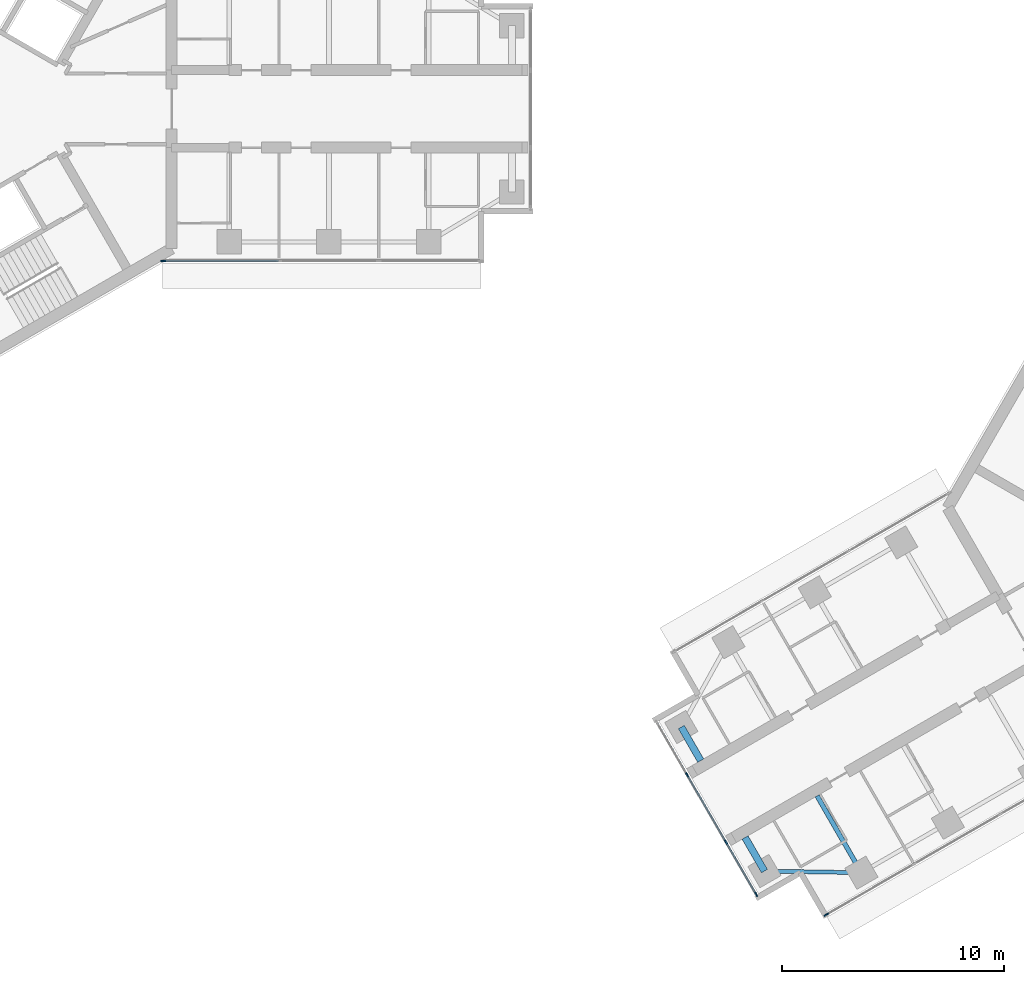
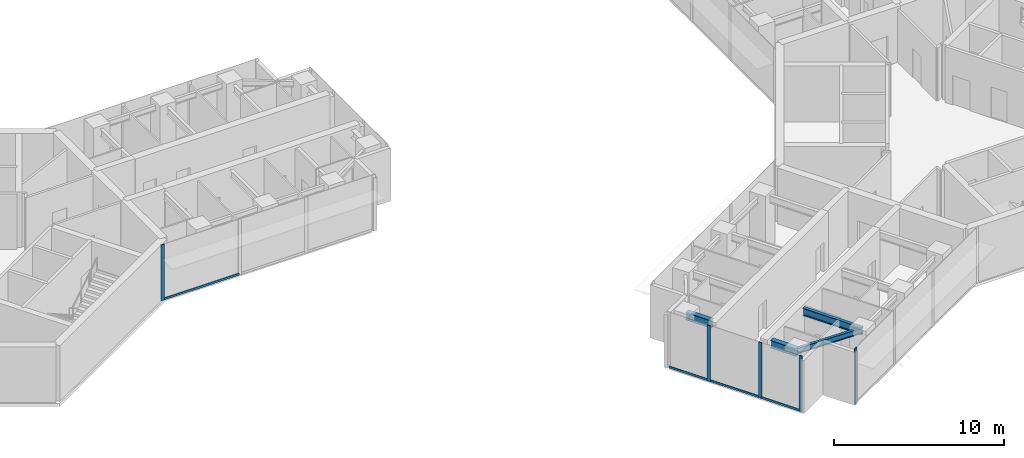
# One storey, part 2 of 18: 9 members, 4 beams, 3 elements without a shape of their own.
"""IFC4 building model written with IfcOpenShell, lengths in metres."""

from ifc_helpers import new_model, si_unit, direction, frame, origin, origin_2d, place, context, subcontext, project, spatial, rectangle, i_section, extrude, material, material_profile, profile_set, type_object, element, aggregate, save


model = new_model("IFC4")

# Units and contexts
model_context = context("Model", 3, precision=1e-05, world=origin(), true_north=direction((0.0, 1.0)))
body_context = subcontext(model_context, "Body", "Model", "MODEL_VIEW")
ifc_project = project(units=[si_unit("LENGTHUNIT", "METRE"), si_unit("AREAUNIT", "SQUARE_METRE"), si_unit("VOLUMEUNIT", "CUBIC_METRE"), si_unit("PLANEANGLEUNIT", "RADIAN"), si_unit("MASSUNIT", "GRAM", prefix="KILO")], contexts=[model_context])

# Site, building, storey
site_placement = place(None, origin())
site = spatial("IfcSite", under=ifc_project, at=site_placement, CompositionType="ELEMENT")
building_placement = place(site_placement, origin())
building = spatial("IfcBuilding", under=site, at=building_placement, Name="Upepo Twin Towers", CompositionType="ELEMENT")
storey_placement = place(building_placement, frame((0.0, 0.0, 218.5)))
storey = spatial("IfcBuildingStorey", under=building, at=storey_placement, Name="L53", CompositionType="ELEMENT", Elevation=218.5)

# Beams
ifc_material_1 = material(Name="Steel S355", Category="steel")
ifc_material_profile_1 = material_profile(ifc_material_1, i_section(OverallWidth=0.177978515625, OverallDepth=0.406494140625, WebThickness=0.0078125, FlangeThickness=0.0126953125, FilletRadius=0.01025390625, at=origin_2d()), Name="UB 406x178x60")
ifc_profile_set_1 = profile_set([ifc_material_profile_1], Name="Steel S355")
beam_type_1 = type_object("IfcBeamType", Name="Beam UB 406x178x60", PredefinedType="BEAM", material=ifc_profile_set_1)
beam_1_placement = place(storey_placement, frame((42.014404296875, -34.446044921875, 3.5966796875), z_axis=(-0.999858804832, 0.016803880528, 0.0), x_axis=(-0.016803880528, -0.999858804832, 0.0)))
element("IfcBeam", 1, at=beam_1_placement, inside=storey, type_object=beam_type_1, Name="T2 nose edge beam BL", PredefinedType="BEAM", context=body_context, shape_type="SweptSolid", body=[
    extrude(i_section(OverallWidth=0.177978515625, OverallDepth=0.406494140625, WebThickness=0.0078125, FlangeThickness=0.0126953125, FilletRadius=0.01025390625, at=origin_2d()), origin(), (0.0, 0.0, 1.0), 4.373291015625),
])
ifc_material_2 = material(Name="Steel S355", Category="steel")
ifc_material_profile_2 = material_profile(ifc_material_2, i_section(OverallWidth=0.209228515625, OverallDepth=0.533203125, WebThickness=0.010009765625, FlangeThickness=0.015625, FilletRadius=0.0126953125, at=origin_2d()), Name="UB 533x210x92")
ifc_profile_set_2 = profile_set([ifc_material_profile_2], Name="Steel S355")
beam_type_2 = type_object("IfcBeamType", Name="Beam UB 533x210x92", PredefinedType="BEAM", material=ifc_profile_set_2)
beam_2_placement = place(storey_placement, frame((42.014404296875, -34.446044921875, 3.533447265625), z_axis=(-0.49999894854, 0.866026010844, 0.0), x_axis=(-0.866026010844, -0.49999894854, 0.0)))
element("IfcBeam", 2, at=beam_2_placement, inside=storey, type_object=beam_type_2, Name="T2 girder BL at 22.5", PredefinedType="BEAM", context=body_context, shape_type="SweptSolid", body=[
    extrude(i_section(OverallWidth=0.209228515625, OverallDepth=0.533203125, WebThickness=0.010009765625, FlangeThickness=0.015625, FilletRadius=0.0126953125, at=origin_2d()), origin(), (0.0, 0.0, 1.0), 4.0),
])
ifc_material_3 = material(Name="Steel S355", Category="steel")
ifc_material_profile_3 = material_profile(ifc_material_3, i_section(OverallWidth=0.31201171875, OverallDepth=0.54345703125, WebThickness=0.0126953125, FlangeThickness=0.020263671875, FilletRadius=0.0126953125, at=origin_2d()), Name="UB 533x312x150")
ifc_profile_set_3 = profile_set([ifc_material_profile_3], Name="Steel S355")
beam_type_3 = type_object("IfcBeamType", Name="Beam UB 533x312x150", PredefinedType="BEAM", material=ifc_profile_set_3)
for number, where, z_axis, x_axis, name in (
    (3, (37.641845703125, -34.37255859375, 3.5283203125), (-0.499980071345, 0.866036909293, 0.0), (-0.866036909293, -0.499980071345, 0.0), "T2 nose beam BL"),
    (4, (33.891845703125, -27.87744140625, 3.5283203125), (0.499980071345, -0.866036909293, 0.0), (0.866036909293, 0.499980071345, 0.0), "T2 nose beam BR"),
):
    element("IfcBeam", number, at=place(storey_placement, frame(where, z_axis=z_axis, x_axis=x_axis)), inside=storey, type_object=beam_type_3, Name=name, PredefinedType="BEAM", context=body_context, shape_type="SweptSolid", body=[
        extrude(i_section(OverallWidth=0.31201171875, OverallDepth=0.54345703125, WebThickness=0.0126953125, FlangeThickness=0.020263671875, FilletRadius=0.0126953125, at=origin_2d()), origin(), (0.0, 0.0, 1.0), 1.75),
    ])

# Curtain wall, member
ifc_material_4 = material(Name="Aluminium and fritted glass", Category="aluminium")
curtain_wall_type = type_object("IfcCurtainWallType", Name="Tower curtain wall TW3, fritted glass", PredefinedType="NOTDEFINED", material=ifc_material_4)
curtain_wall_1_placement = place(storey_placement, origin())
curtain_wall_1 = element("IfcCurtainWall", 5, at=curtain_wall_1_placement, inside=storey, type_object=curtain_wall_type, Name="T1 L53 wing A flank R curtain wall", PredefinedType="NOTDEFINED")
ifc_material_5 = material(Name="Aluminium mullion", Category="aluminium")
ifc_material_profile_4 = material_profile(ifc_material_5, rectangle(XDim=0.06494140625, YDim=0.22509765625, at=origin_2d()), Name="MULLION 65x225")
ifc_profile_set_4 = profile_set([ifc_material_profile_4], Name="Aluminium mullion")
member_type_1 = type_object("IfcMemberType", Name="Mullion 65x225 TW3", PredefinedType="MULLION", material=ifc_profile_set_4)
member_1_placement = place(storey_placement, frame((10.51953125, -6.85009765625, 0.0), z_axis=(0.0, 0.0, 1.0), x_axis=(0.0, -1.0, 0.0)))
member_1 = element("IfcMember", 6, at=member_1_placement, type_object=member_type_1, Name="T1 L53 wing A flank R curtain wall mullion 4", PredefinedType="MULLION", context=body_context, shape_type="SweptSolid", body=[
    extrude(rectangle(XDim=0.06494140625, YDim=0.22509765625, at=origin_2d()), origin(), (0.0, 0.0, 1.0), 4.0),
])

curtain_wall_2_placement = place(storey_placement, origin())
curtain_wall_2 = element("IfcCurtainWall", 7, at=curtain_wall_2_placement, inside=storey, type_object=curtain_wall_type, Name="T2 L53 wing B flank L curtain wall", PredefinedType="NOTDEFINED")
member_2_placement = place(storey_placement, frame((40.432373046875, -36.341064453125, 0.0), z_axis=(0.0, 0.0, 1.0), x_axis=(0.500000026527, -0.866025388469, 0.0)))
member_2 = element("IfcMember", 8, at=member_2_placement, type_object=member_type_1, Name="T2 L53 wing B flank L curtain wall mullion 4", PredefinedType="MULLION", context=body_context, shape_type="SweptSolid", body=[
    extrude(rectangle(XDim=0.06494140625, YDim=0.22509765625, at=origin_2d()), origin(), (0.0, 0.0, 1.0), 4.0),
])
aggregate(curtain_wall_2, [member_2])

# Curtain wall, members
curtain_wall_3_placement = place(storey_placement, origin())
curtain_wall_3 = element("IfcCurtainWall", 9, at=curtain_wall_3_placement, inside=storey, type_object=curtain_wall_type, Name="T2 L53 wing B nose curtain wall", PredefinedType="NOTDEFINED")
member_3_placement = place(storey_placement, frame((34.15576171875, -30.034423828125, 0.0), z_axis=(0.0, 0.0, 1.0), x_axis=(0.866025386174, 0.500000030502, 0.0)))
member_3 = element("IfcMember", 10, at=member_3_placement, type_object=member_type_1, Name="T2 L53 wing B nose curtain wall mullion 2", PredefinedType="MULLION", context=body_context, shape_type="SweptSolid", body=[
    extrude(rectangle(XDim=0.06494140625, YDim=0.22509765625, at=origin_2d()), origin(), (0.0, 0.0, 1.0), 4.0),
])
member_4_placement = place(storey_placement, frame((35.90576171875, -33.0654296875, 0.0), z_axis=(0.0, 0.0, 1.0), x_axis=(0.866025386174, 0.500000030502, 0.0)))
member_4 = element("IfcMember", 11, at=member_4_placement, type_object=member_type_1, Name="T2 L53 wing B nose curtain wall mullion 3", PredefinedType="MULLION", context=body_context, shape_type="SweptSolid", body=[
    extrude(rectangle(XDim=0.06494140625, YDim=0.22509765625, at=origin_2d()), origin(), (0.0, 0.0, 1.0), 4.0),
])
member_5_placement = place(storey_placement, frame((37.264404296875, -35.4189453125, 0.0), z_axis=(0.0, 0.0, 1.0), x_axis=(0.866025386174, 0.500000030502, 0.0)))
member_5 = element("IfcMember", 12, at=member_5_placement, type_object=member_type_1, Name="T2 L53 wing B nose curtain wall mullion 4", PredefinedType="MULLION", context=body_context, shape_type="SweptSolid", body=[
    extrude(rectangle(XDim=0.06494140625, YDim=0.22509765625, at=origin_2d()), origin(), (0.0, 0.0, 1.0), 4.0),
])

# Member
ifc_material_6 = material(Name="Aluminium transom", Category="aluminium")
ifc_material_profile_5 = material_profile(ifc_material_6, rectangle(XDim=0.06494140625, YDim=0.14990234375, at=origin_2d()), Name="TRANSOM 65x150")
ifc_profile_set_5 = profile_set([ifc_material_profile_5], Name="Aluminium transom")
member_type_2 = type_object("IfcMemberType", Name="Transom 65x150 TW3", PredefinedType="USERDEFINED", material=ifc_profile_set_5)
member_6_placement = place(storey_placement, frame((15.717529296875, -6.85009765625, 0.074951171875), z_axis=(-1.0, 0.0, 0.0), x_axis=(0.0, -1.0, 0.0)))
member_6 = element("IfcMember", 13, at=member_6_placement, type_object=member_type_2, Name="T1 L53 wing A flank R curtain wall transom 3", ObjectType="TRANSOM", PredefinedType="USERDEFINED", context=body_context, shape_type="SweptSolid", body=[
    extrude(rectangle(XDim=0.06494140625, YDim=0.14990234375, at=origin_2d()), origin(), (0.0, 0.0, 1.0), 5.16552734375),
])

aggregate(curtain_wall_1, [member_1, member_6])

member_7_placement = place(storey_placement, frame((32.813232421875, -27.709228515625, 0.074951171875), z_axis=(0.499980071345, -0.866036909293, 0.0), x_axis=(0.866036909293, 0.499980071345, 0.0)))
member_7 = element("IfcMember", 14, at=member_7_placement, type_object=member_type_2, Name="T2 L53 wing B nose curtain wall transom 1", ObjectType="TRANSOM", PredefinedType="USERDEFINED", context=body_context, shape_type="SweptSolid", body=[
    extrude(rectangle(XDim=0.06494140625, YDim=0.14990234375, at=origin_2d()), origin(), (0.0, 0.0, 1.0), 2.65234375),
])

member_8_placement = place(storey_placement, frame((34.171875, -30.0625, 0.074951171875), z_axis=(0.499999305434, -0.866025804792, 0.0), x_axis=(0.866025804792, 0.499999305434, 0.0)))
member_8 = element("IfcMember", 15, at=member_8_placement, type_object=member_type_2, Name="T2 L53 wing B nose curtain wall transom 2", ObjectType="TRANSOM", PredefinedType="USERDEFINED", context=body_context, shape_type="SweptSolid", body=[
    extrude(rectangle(XDim=0.06494140625, YDim=0.14990234375, at=origin_2d()), origin(), (0.0, 0.0, 1.0), 3.43505859375),
])

member_9_placement = place(storey_placement, frame((35.921875, -33.09375, 0.074951171875), z_axis=(0.500049101008, -0.865997053448, 0.0), x_axis=(0.865997053448, 0.500049101008, 0.0)))
member_9 = element("IfcMember", 16, at=member_9_placement, type_object=member_type_2, Name="T2 L53 wing B nose curtain wall transom 3", ObjectType="TRANSOM", PredefinedType="USERDEFINED", context=body_context, shape_type="SweptSolid", body=[
    extrude(rectangle(XDim=0.06494140625, YDim=0.14990234375, at=origin_2d()), origin(), (0.0, 0.0, 1.0), 2.652587890625),
])

aggregate(curtain_wall_3, [member_3, member_4, member_5, member_7, member_8, member_9])

save(model, "model.ifc")
